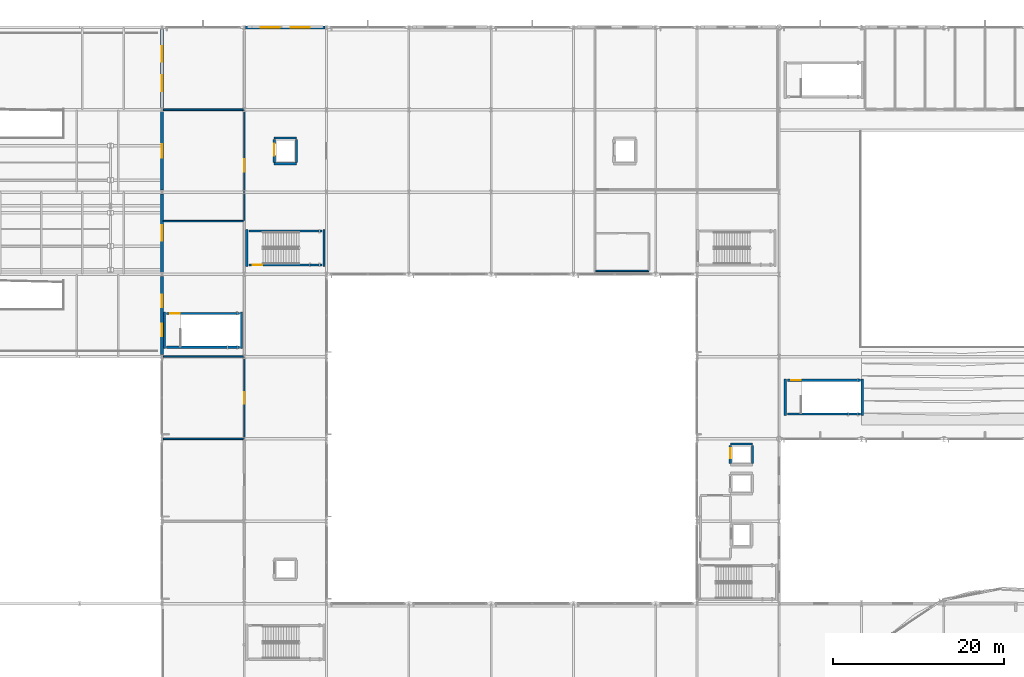
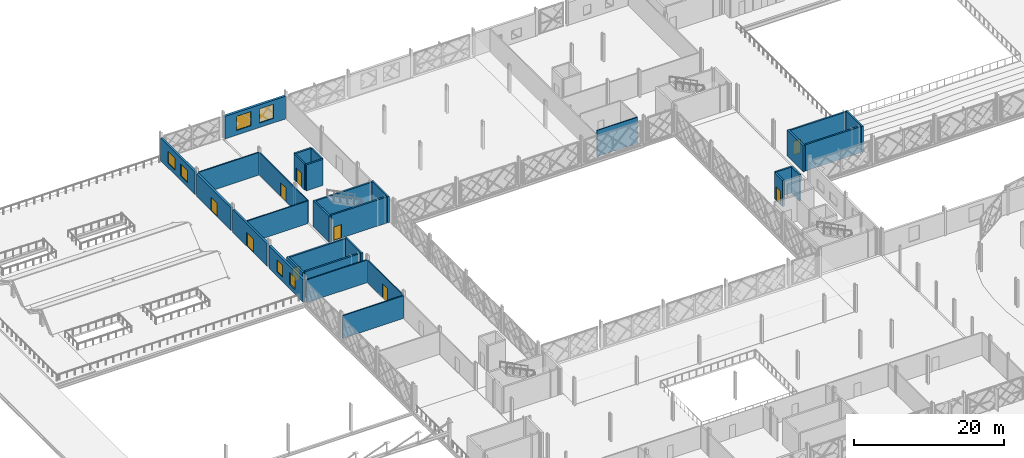
# One storey, part 68 of 101: 31 walls, 9 doors, 6 windows, 15 openings.
"""IFC4 building model written with IfcOpenShell, lengths in metres."""

from ifc_helpers import new_model, si_unit, direction, frame, frame_2d, origin, place, context, subcontext, project, spatial, rectangle, extrude, material, layer, layer_set, type_object, element, fill, save


model = new_model("IFC4")

# Units and contexts
model_context = context("Model", 3, precision=1e-05, world=origin(), true_north=direction((0.0, 1.0)))
body_context = subcontext(model_context, "Body", "Model", "MODEL_VIEW")
ifc_project = project(units=[si_unit("LENGTHUNIT", "METRE"), si_unit("AREAUNIT", "SQUARE_METRE"), si_unit("VOLUMEUNIT", "CUBIC_METRE"), si_unit("PLANEANGLEUNIT", "RADIAN"), si_unit("MASSUNIT", "GRAM", prefix="KILO")], contexts=[model_context])

# Site, building, storey
site_placement = place(None, origin())
site = spatial("IfcSite", under=ifc_project, at=site_placement, CompositionType="ELEMENT")
building_placement = place(site_placement, origin())
building = spatial("IfcBuilding", under=site, at=building_placement, Name="Zevrakil Square Congress Hotel", CompositionType="ELEMENT")
storey_placement = place(building_placement, frame((0.0, 0.0, 5.39990234375)))
storey = spatial("IfcBuildingStorey", under=building, at=storey_placement, Name="L02", CompositionType="ELEMENT", Elevation=5.39990234375)

# Wall, opening, door
ifc_material_1 = material(Name="Gypsum Acoustic Stud Partition")
ifc_layer_1 = layer(ifc_material_1, 0.159912109375)
ifc_layer_set_1 = layer_set([ifc_layer_1], Name="Gypsum Acoustic Stud Partition")
wall_type_1 = type_object("IfcWallType", Name="WAL-CORR-160", PredefinedType="PARTITIONING", material=ifc_layer_set_1)
wall_1_placement = place(storey_placement, frame((55.199951171875, 64.89990234375, 0.0), z_axis=(0.0, 0.0, 1.0), x_axis=(0.0, 1.0, 0.0)))
wall_1 = element("IfcWall", 1, at=wall_1_placement, inside=storey, type_object=wall_type_1, Name="L02 interior partition PW-L02-0184", PredefinedType="PARTITIONING", context=body_context, shape_type="SweptSolid", body=[
    extrude(rectangle(XDim=9.400146484375, YDim=0.159912109375, at=frame_2d((4.7001953125, 0.0))), origin(), (0.0, 0.0, 1.0), 3.68505859375),
])
opening_1_placement = place(wall_1_placement, frame((4.02490234375, 0.0, 0.0)))
opening_1 = element("IfcOpeningElement", 2, at=opening_1_placement, cuts=wall_1, Name="Opening ID-19", PredefinedType="OPENING", context=body_context, shape_type="SweptSolid", body=[
    extrude(rectangle(XDim=1.35009765625, YDim=2.239990234375, at=frame_2d((0.675048828125, 1.1201171875))), frame((0.0, 0.08984375, 0.0), z_axis=(0.0, -1.0, 0.0), x_axis=(1.0, 0.0, 0.0)), (0.0, 0.0, 1.0), 0.179931640625),
])
ifc_material_2 = material(Name="Service Double Fire Door")
door_type_1 = type_object("IfcDoorType", Name="DOR-INT-V09", OperationType="NOTDEFINED", PredefinedType="DOOR", material=ifc_material_2)
door_1_placement = place(opening_1_placement, origin())
door_1 = element("IfcDoor", 3, at=door_1_placement, inside=storey, type_object=door_type_1, Name="L02 interior door 77", OperationType="SINGLE_SWING_LEFT", OverallHeight=2.239990234375, OverallWidth=1.35009765625, PredefinedType="DOOR", context=body_context, shape_type="SweptSolid", body=[
    extrude(rectangle(XDim=1.35009765625, YDim=2.239990234375, at=frame_2d((0.675048828125, 1.1201171875))), frame((0.0, 0.02490234375, 0.0), z_axis=(0.0, -1.0, 0.0), x_axis=(1.0, 0.0, 0.0)), (0.0, 0.0, 1.0), 0.050048828125),
])
fill(opening_1, door_1)

wall_2_placement = place(storey_placement, frame((55.199951171875, 90.300048828125, 0.0), z_axis=(0.0, 0.0, 1.0), x_axis=(0.0, 1.0, 0.0)))
wall_2 = element("IfcWall", 4, at=wall_2_placement, inside=storey, type_object=wall_type_1, Name="L02 interior partition PW-L02-0186", PredefinedType="PARTITIONING", context=body_context, shape_type="SweptSolid", body=[
    extrude(rectangle(XDim=12.800048828125, YDim=0.159912109375, at=frame_2d((6.39990234375, 0.0))), origin(), (0.0, 0.0, 1.0), 3.68505859375),
])
opening_2_placement = place(wall_2_placement, frame((5.675048828125, 0.0, 0.0)))
opening_2 = element("IfcOpeningElement", 5, at=opening_2_placement, cuts=wall_2, Name="Opening ID-20", PredefinedType="OPENING", context=body_context, shape_type="SweptSolid", body=[
    extrude(rectangle(XDim=1.449951171875, YDim=2.239990234375, at=frame_2d((0.72509765625, 1.1201171875))), frame((0.0, 0.08984375, 0.0), z_axis=(0.0, -1.0, 0.0), x_axis=(1.0, 0.0, 0.0)), (0.0, 0.0, 1.0), 0.179931640625),
])
ifc_material_3 = material(Name="Meeting Double Fire Door")
door_type_2 = type_object("IfcDoorType", Name="DOR-INT-V10", OperationType="NOTDEFINED", PredefinedType="DOOR", material=ifc_material_3)
door_2_placement = place(opening_2_placement, origin())
door_2 = element("IfcDoor", 6, at=door_2_placement, inside=storey, type_object=door_type_2, Name="L02 interior door 78", OperationType="SINGLE_SWING_RIGHT", OverallHeight=2.239990234375, OverallWidth=1.449951171875, PredefinedType="DOOR", context=body_context, shape_type="SweptSolid", body=[
    extrude(rectangle(XDim=1.449951171875, YDim=2.239990234375, at=frame_2d((0.72509765625, 1.1201171875))), frame((0.0, 0.02490234375, 0.0), z_axis=(0.0, -1.0, 0.0), x_axis=(1.0, 0.0, 0.0)), (0.0, 0.0, 1.0), 0.050048828125),
])
fill(opening_2, door_2)

# Wall
wall_3_placement = place(storey_placement, frame((96.199951171875, 84.39990234375, 0.0), z_axis=(0.0, 0.0, 1.0), x_axis=(1.0, 0.0, 0.0)))
element("IfcWall", 7, at=wall_3_placement, inside=storey, type_object=wall_type_1, Name="L02 interior partition PW-L02-0210", PredefinedType="PARTITIONING", context=body_context, shape_type="SweptSolid", body=[
    extrude(rectangle(XDim=6.199951171875, YDim=0.159912109375, at=frame_2d((3.10009765625, 0.0))), origin(), (0.0, 0.0, 1.0), 4.239990234375),
])

# Wall, openings, windows
ifc_material_4 = material(Name="Precast concrete C40/50", Category="concrete")
ifc_layer_2 = layer(ifc_material_4, 0.320068359375)
ifc_layer_set_2 = layer_set([ifc_layer_2], Name="Precast concrete C40/50")
wall_type_2 = type_object("IfcWallType", Name="WAL-EXT-GRC-320", PredefinedType="SOLIDWALL", material=ifc_layer_set_2)
wall_4_placement = place(storey_placement, frame((45.60009765625, 74.62890625, 0.0), z_axis=(0.0, 0.0, 1.0), x_axis=(0.0, 1.0, 0.0)))
wall_4 = element("IfcWall", 8, at=wall_4_placement, inside=storey, type_object=wall_type_2, Name="L02 exterior GRC wall EW-L02-0036", PredefinedType="SOLIDWALL", context=body_context, shape_type="SweptSolid", body=[
    extrude(rectangle(XDim=9.14208984375, YDim=0.320068359375, at=frame_2d((4.571044921875, 0.0))), origin(), (0.0, 0.0, 1.0), 3.675048828125),
])
opening_3_placement = place(wall_4_placement, frame((2.135498046875, 0.0, 0.75)))
opening_3 = element("IfcOpeningElement", 9, at=opening_3_placement, cuts=wall_4, Name="Opening WN-26", PredefinedType="OPENING", context=body_context, shape_type="SweptSolid", body=[
    extrude(rectangle(XDim=1.449951171875, YDim=1.949951171875, at=frame_2d((0.72509765625, 0.97509765625))), frame((0.0, 0.169921875, 0.0), z_axis=(0.0, -1.0, 0.0), x_axis=(1.0, 0.0, 0.0)), (0.0, 0.0, 1.0), 0.340087890625),
])
opening_4_placement = place(wall_4_placement, frame((5.556396484375, 0.0, 0.75)))
opening_4 = element("IfcOpeningElement", 10, at=opening_4_placement, cuts=wall_4, Name="Opening WN-26", PredefinedType="OPENING", context=body_context, shape_type="SweptSolid", body=[
    extrude(rectangle(XDim=1.449951171875, YDim=1.949951171875, at=frame_2d((0.72509765625, 0.97509765625))), frame((0.0, 0.169921875, 0.0), z_axis=(0.0, -1.0, 0.0), x_axis=(1.0, 0.0, 0.0)), (0.0, 0.0, 1.0), 0.340087890625),
])
ifc_material_5 = material(Name="Low-E Solar Control Double Glazing", Category="glass")
window_type_1 = type_object("IfcWindowType", Name="WIN-EXT-26", PartitioningType="SINGLE_PANEL", PredefinedType="WINDOW", material=ifc_material_5)
window_1_placement = place(opening_3_placement, origin())
window_1 = element("IfcWindow", 11, at=window_1_placement, inside=storey, type_object=window_type_1, Name="L02 low-E solar window 26", OverallHeight=1.949951171875, OverallWidth=1.449951171875, PartitioningType="SINGLE_PANEL", PredefinedType="WINDOW", context=body_context, shape_type="SweptSolid", body=[
    extrude(rectangle(XDim=1.449951171875, YDim=1.949951171875, at=frame_2d((0.72509765625, 0.97509765625))), frame((0.0, 0.030029296875, 0.0), z_axis=(0.0, -1.0, 0.0), x_axis=(1.0, 0.0, 0.0)), (0.0, 0.0, 1.0), 0.06005859375),
])
fill(opening_3, window_1)
window_2_placement = place(opening_4_placement, origin())
window_2 = element("IfcWindow", 12, at=window_2_placement, inside=storey, type_object=window_type_1, Name="L02 low-E solar window 27", OverallHeight=1.949951171875, OverallWidth=1.449951171875, PartitioningType="SINGLE_PANEL", PredefinedType="WINDOW", context=body_context, shape_type="SweptSolid", body=[
    extrude(rectangle(XDim=1.449951171875, YDim=1.949951171875, at=frame_2d((0.72509765625, 0.97509765625))), frame((0.0, 0.030029296875, 0.0), z_axis=(0.0, -1.0, 0.0), x_axis=(1.0, 0.0, 0.0)), (0.0, 0.0, 1.0), 0.06005859375),
])
fill(opening_4, window_2)

# Wall, opening, door
wall_5_placement = place(storey_placement, frame((45.60009765625, 84.22900390625, 0.0), z_axis=(0.0, 0.0, 1.0), x_axis=(0.0, 1.0, 0.0)))
wall_5 = element("IfcWall", 13, at=wall_5_placement, inside=storey, type_object=wall_type_2, Name="L02 exterior GRC wall EW-L02-0037", PredefinedType="SOLIDWALL", context=body_context, shape_type="SweptSolid", body=[
    extrude(rectangle(XDim=9.14208984375, YDim=0.320068359375, at=frame_2d((4.571044921875, 0.0))), origin(), (0.0, 0.0, 1.0), 3.675048828125),
])
opening_5_placement = place(wall_5_placement, frame((3.6708984375, 0.0, 0.0)))
opening_5 = element("IfcOpeningElement", 14, at=opening_5_placement, cuts=wall_5, Name="Opening TD-01", PredefinedType="OPENING", context=body_context, shape_type="SweptSolid", body=[
    extrude(rectangle(XDim=1.800048828125, YDim=2.199951171875, at=frame_2d((0.89990234375, 1.10009765625))), frame((0.0, 0.169921875, 0.0), z_axis=(0.0, -1.0, 0.0), x_axis=(1.0, 0.0, 0.0)), (0.0, 0.0, 1.0), 0.340087890625),
])
ifc_material_6 = material(Name="Aluminium Thermal-Break Glazed Door", Category="aluminium")
door_type_3 = type_object("IfcDoorType", Name="DOR-TERR-180", OperationType="NOTDEFINED", PredefinedType="DOOR", material=ifc_material_6)
door_3_placement = place(opening_5_placement, origin())
door_3 = element("IfcDoor", 15, at=door_3_placement, inside=storey, type_object=door_type_3, Name="L02 walkable roof garden terrace door", OperationType="DOUBLE_DOOR_SINGLE_SWING", OverallHeight=2.199951171875, OverallWidth=1.800048828125, PredefinedType="DOOR", context=body_context, shape_type="SweptSolid", body=[
    extrude(rectangle(XDim=1.800048828125, YDim=2.199951171875, at=frame_2d((0.89990234375, 1.10009765625))), frame((0.0, 0.02490234375, 0.0), z_axis=(0.0, -1.0, 0.0), x_axis=(1.0, 0.0, 0.0)), (0.0, 0.0, 1.0), 0.050048828125),
])
fill(opening_5, door_3)

wall_6_placement = place(storey_placement, frame((45.60009765625, 93.8291015625, 0.0), z_axis=(0.0, 0.0, 1.0), x_axis=(0.0, 1.0, 0.0)))
wall_6 = element("IfcWall", 16, at=wall_6_placement, inside=storey, type_object=wall_type_2, Name="L02 exterior GRC wall EW-L02-0038", PredefinedType="SOLIDWALL", context=body_context, shape_type="SweptSolid", body=[
    extrude(rectangle(XDim=9.141845703125, YDim=0.320068359375, at=frame_2d((4.57080078125, 0.0))), origin(), (0.0, 0.0, 1.0), 3.675048828125),
])
opening_6_placement = place(wall_6_placement, frame((3.77099609375, 0.0, 0.0)))
opening_6 = element("IfcOpeningElement", 17, at=opening_6_placement, cuts=wall_6, Name="Opening TD-02", PredefinedType="OPENING", context=body_context, shape_type="SweptSolid", body=[
    extrude(rectangle(XDim=1.60009765625, YDim=2.199951171875, at=frame_2d((0.800048828125, 1.10009765625))), frame((0.0, 0.169921875, 0.0), z_axis=(0.0, -1.0, 0.0), x_axis=(1.0, 0.0, 0.0)), (0.0, 0.0, 1.0), 0.340087890625),
])
ifc_material_7 = material(Name="Aluminium Thermal-Break Glazed Door", Category="aluminium")
door_type_4 = type_object("IfcDoorType", Name="DOR-TERR-160", OperationType="NOTDEFINED", PredefinedType="DOOR", material=ifc_material_7)
door_4_placement = place(opening_6_placement, origin())
door_4 = element("IfcDoor", 18, at=door_4_placement, inside=storey, type_object=door_type_4, Name="L02 walkable roof garden terrace door", OperationType="DOUBLE_DOOR_SINGLE_SWING", OverallHeight=2.199951171875, OverallWidth=1.60009765625, PredefinedType="DOOR", context=body_context, shape_type="SweptSolid", body=[
    extrude(rectangle(XDim=1.60009765625, YDim=2.199951171875, at=frame_2d((0.800048828125, 1.10009765625))), frame((0.0, 0.02490234375, 0.0), z_axis=(0.0, -1.0, 0.0), x_axis=(1.0, 0.0, 0.0)), (0.0, 0.0, 1.0), 0.050048828125),
])
fill(opening_6, door_4)

# Wall, openings, windows
wall_7_placement = place(storey_placement, frame((45.60009765625, 103.428955078125, 0.0), z_axis=(0.0, 0.0, 1.0), x_axis=(0.0, 1.0, 0.0)))
wall_7 = element("IfcWall", 19, at=wall_7_placement, inside=storey, type_object=wall_type_2, Name="L02 exterior GRC wall EW-L02-0039", PredefinedType="SOLIDWALL", context=body_context, shape_type="SweptSolid", body=[
    extrude(rectangle(XDim=9.14208984375, YDim=0.320068359375, at=frame_2d((4.571044921875, 0.0))), origin(), (0.0, 0.0, 1.0), 3.675048828125),
])
opening_7_placement = place(wall_7_placement, frame((1.935546875, 0.0, 0.75)))
opening_7 = element("IfcOpeningElement", 20, at=opening_7_placement, cuts=wall_7, Name="Opening WN-28", PredefinedType="OPENING", context=body_context, shape_type="SweptSolid", body=[
    extrude(rectangle(XDim=1.85009765625, YDim=1.949951171875, at=frame_2d((0.925048828125, 0.97509765625))), frame((0.0, 0.169921875, 0.0), z_axis=(0.0, -1.0, 0.0), x_axis=(1.0, 0.0, 0.0)), (0.0, 0.0, 1.0), 0.340087890625),
])
opening_8_placement = place(wall_7_placement, frame((5.3564453125, 0.0, 0.75)))
opening_8 = element("IfcOpeningElement", 21, at=opening_8_placement, cuts=wall_7, Name="Opening WN-28", PredefinedType="OPENING", context=body_context, shape_type="SweptSolid", body=[
    extrude(rectangle(XDim=1.85009765625, YDim=1.949951171875, at=frame_2d((0.925048828125, 0.97509765625))), frame((0.0, 0.169921875, 0.0), z_axis=(0.0, -1.0, 0.0), x_axis=(1.0, 0.0, 0.0)), (0.0, 0.0, 1.0), 0.340087890625),
])
ifc_material_8 = material(Name="Low-E Solar Control Double Glazing", Category="glass")
window_type_2 = type_object("IfcWindowType", Name="WIN-EXT-28", PartitioningType="SINGLE_PANEL", PredefinedType="WINDOW", material=ifc_material_8)
window_3_placement = place(opening_7_placement, origin())
window_3 = element("IfcWindow", 22, at=window_3_placement, inside=storey, type_object=window_type_2, Name="L02 low-E solar window 28", OverallHeight=1.949951171875, OverallWidth=1.85009765625, PartitioningType="SINGLE_PANEL", PredefinedType="WINDOW", context=body_context, shape_type="SweptSolid", body=[
    extrude(rectangle(XDim=1.85009765625, YDim=1.949951171875, at=frame_2d((0.925048828125, 0.97509765625))), frame((0.0, 0.030029296875, 0.0), z_axis=(0.0, -1.0, 0.0), x_axis=(1.0, 0.0, 0.0)), (0.0, 0.0, 1.0), 0.06005859375),
])
fill(opening_7, window_3)
window_4_placement = place(opening_8_placement, origin())
window_4 = element("IfcWindow", 23, at=window_4_placement, inside=storey, type_object=window_type_2, Name="L02 low-E solar window 29", OverallHeight=1.949951171875, OverallWidth=1.85009765625, PartitioningType="SINGLE_PANEL", PredefinedType="WINDOW", context=body_context, shape_type="SweptSolid", body=[
    extrude(rectangle(XDim=1.85009765625, YDim=1.949951171875, at=frame_2d((0.925048828125, 0.97509765625))), frame((0.0, 0.030029296875, 0.0), z_axis=(0.0, -1.0, 0.0), x_axis=(1.0, 0.0, 0.0)), (0.0, 0.0, 1.0), 0.06005859375),
])
fill(opening_8, window_4)

ifc_material_9 = material(Name="Precast concrete C40/50", Category="concrete")
ifc_layer_3 = layer(ifc_material_9, 0.360107421875)
ifc_layer_set_3 = layer_set([ifc_layer_3], Name="Precast concrete C40/50")
wall_type_3 = type_object("IfcWallType", Name="WAL-EXT-GRC-360", PredefinedType="SOLIDWALL", material=ifc_layer_set_3)
wall_8_placement = place(storey_placement, frame((55.35400390625, 112.800048828125, 0.0), z_axis=(0.0, 0.0, 1.0), x_axis=(1.0, 0.0, 0.0)))
wall_8 = element("IfcWall", 24, at=wall_8_placement, inside=storey, type_object=wall_type_3, Name="L02 exterior GRC wall EW-L02-0048", PredefinedType="SOLIDWALL", context=body_context, shape_type="SweptSolid", body=[
    extrude(rectangle(XDim=9.2919921875, YDim=0.360107421875, at=frame_2d((4.64599609375, 0.0))), origin(), (0.0, 0.0, 1.0), 3.68505859375),
])
opening_9_placement = place(wall_8_placement, frame((1.798095703125, 0.0, 0.75)))
opening_9 = element("IfcOpeningElement", 25, at=opening_9_placement, cuts=wall_8, Name="Opening WN-39", PredefinedType="OPENING", context=body_context, shape_type="SweptSolid", body=[
    extrude(rectangle(XDim=2.199951171875, YDim=2.300048828125, at=frame_2d((1.10009765625, 1.14990234375))), frame((0.0, 0.18994140625, 0.0), z_axis=(0.0, -1.0, 0.0), x_axis=(1.0, 0.0, 0.0)), (0.0, 0.0, 1.0), 0.380126953125),
])
opening_10_placement = place(wall_8_placement, frame((5.2939453125, 0.0, 0.75)))
opening_10 = element("IfcOpeningElement", 26, at=opening_10_placement, cuts=wall_8, Name="Opening WN-39", PredefinedType="OPENING", context=body_context, shape_type="SweptSolid", body=[
    extrude(rectangle(XDim=2.199951171875, YDim=2.300048828125, at=frame_2d((1.10009765625, 1.14990234375))), frame((0.0, 0.18994140625, 0.0), z_axis=(0.0, -1.0, 0.0), x_axis=(1.0, 0.0, 0.0)), (0.0, 0.0, 1.0), 0.380126953125),
])
ifc_material_10 = material(Name="Low-E Solar Control Double Glazing", Category="glass")
window_type_3 = type_object("IfcWindowType", Name="WIN-EXT-39", PartitioningType="SINGLE_PANEL", PredefinedType="WINDOW", material=ifc_material_10)
window_5_placement = place(opening_9_placement, origin())
window_5 = element("IfcWindow", 27, at=window_5_placement, inside=storey, type_object=window_type_3, Name="L02 low-E solar window 39", OverallHeight=2.300048828125, OverallWidth=2.199951171875, PartitioningType="SINGLE_PANEL", PredefinedType="WINDOW", context=body_context, shape_type="SweptSolid", body=[
    extrude(rectangle(XDim=2.199951171875, YDim=2.300048828125, at=frame_2d((1.10009765625, 1.14990234375))), frame((0.0, 0.030029296875, 0.0), z_axis=(0.0, -1.0, 0.0), x_axis=(1.0, 0.0, 0.0)), (0.0, 0.0, 1.0), 0.06005859375),
])
fill(opening_9, window_5)
window_6_placement = place(opening_10_placement, origin())
window_6 = element("IfcWindow", 28, at=window_6_placement, inside=storey, type_object=window_type_3, Name="L02 low-E solar window 40", OverallHeight=2.300048828125, OverallWidth=2.199951171875, PartitioningType="SINGLE_PANEL", PredefinedType="WINDOW", context=body_context, shape_type="SweptSolid", body=[
    extrude(rectangle(XDim=2.199951171875, YDim=2.300048828125, at=frame_2d((1.10009765625, 1.14990234375))), frame((0.0, 0.030029296875, 0.0), z_axis=(0.0, -1.0, 0.0), x_axis=(1.0, 0.0, 0.0)), (0.0, 0.0, 1.0), 0.06005859375),
])
fill(opening_10, window_6)

# Walls
ifc_material_11 = material(Name="Gypsum Twin-Stud Party Partition")
ifc_layer_4 = layer(ifc_material_11, 0.179931640625)
ifc_layer_set_4 = layer_set([ifc_layer_4], Name="Gypsum Twin-Stud Party Partition")
wall_type_4 = type_object("IfcWallType", Name="WAL-PARTY-180", PredefinedType="PARTITIONING", material=ifc_layer_set_4)
for number, where, z_axis, x_axis, name in (
    (29, (45.780029296875, 64.800048828125, 0.0), (0.0, 0.0, 1.0), (1.0, 0.0, 0.0), "L02 interior partition PW-L02-0183"),
    (30, (45.780029296875, 74.39990234375, 0.0), (0.0, 0.0, 1.0), (1.0, 0.0, 0.0), "L02 interior partition PW-L02-0185"),
):
    element("IfcWall", number, at=place(storey_placement, frame(where, z_axis=z_axis, x_axis=x_axis)), inside=storey, type_object=wall_type_4, Name=name, PredefinedType="PARTITIONING", context=body_context, shape_type="SweptSolid", body=[
        extrude(rectangle(XDim=9.330078125, YDim=0.179931640625, at=frame_2d((4.6650390625, 0.0))), origin(), (0.0, 0.0, 1.0), 3.68505859375),
    ])
wall_9_placement = place(storey_placement, frame((45.780029296875, 90.199951171875, 0.0), z_axis=(0.0, 0.0, 1.0), x_axis=(1.0, 0.0, 0.0)))
element("IfcWall", 31, at=wall_9_placement, inside=storey, type_object=wall_type_4, Name="L02 interior partition PW-L02-0187", PredefinedType="PARTITIONING", context=body_context, shape_type="SweptSolid", body=[
    extrude(rectangle(XDim=9.330078125, YDim=0.179931640625, at=frame_2d((4.6650390625, 0.0))), origin(), (0.0, 0.0, 1.0), 3.675048828125),
])
wall_10_placement = place(storey_placement, frame((45.780029296875, 103.199951171875, 0.0), z_axis=(0.0, 0.0, 1.0), x_axis=(1.0, 0.0, 0.0)))
element("IfcWall", 32, at=wall_10_placement, inside=storey, type_object=wall_type_4, Name="L02 interior partition PW-L02-0188", PredefinedType="PARTITIONING", context=body_context, shape_type="SweptSolid", body=[
    extrude(rectangle(XDim=9.330078125, YDim=0.179931640625, at=frame_2d((4.6650390625, 0.0))), origin(), (0.0, 0.0, 1.0), 3.68505859375),
])
ifc_material_12 = material(Name="Concrete C40/50", Category="concrete")
ifc_layer_5 = layer(ifc_material_12, 0.260009765625)
ifc_layer_set_5 = layer_set([ifc_layer_5], Name="Concrete C40/50")
wall_type_5 = type_object("IfcWallType", Name="WAL-SHAFT-260", PredefinedType="SHEAR", material=ifc_layer_set_5)
for number, where, z_axis, x_axis, name in (
    (33, (55.5048828125, 84.93994140625, 0.0), (0.0, 0.0, 1.0), (0.0, 1.0, 0.0), "L02 ST05 stair shaft W wall"),
    (34, (64.4951171875, 84.93994140625, 0.0), (0.0, 0.0, 1.0), (0.0, 1.0, 0.0), "L02 ST05 stair shaft E wall"),
):
    element("IfcWall", number, at=place(storey_placement, frame(where, z_axis=z_axis, x_axis=x_axis)), inside=storey, type_object=wall_type_5, Name=name, PredefinedType="SHEAR", context=body_context, shape_type="SweptSolid", body=[
        extrude(rectangle(XDim=4.27001953125, YDim=0.260009765625, at=frame_2d((2.135009765625, 0.0))), origin(), (0.0, 0.0, 1.0), 4.239990234375),
    ])

# Wall, opening, door
wall_11_placement = place(storey_placement, frame((55.739990234375, 85.10498046875, 0.0), z_axis=(0.0, 0.0, 1.0), x_axis=(1.0, 0.0, 0.0)))
wall_11 = element("IfcWall", 35, at=wall_11_placement, inside=storey, type_object=wall_type_5, Name="L02 ST05 stair shaft S wall", PredefinedType="SHEAR", context=body_context, shape_type="SweptSolid", body=[
    extrude(rectangle(XDim=8.52001953125, YDim=0.260009765625, at=frame_2d((4.260009765625, 0.0))), origin(), (0.0, 0.0, 1.0), 4.239990234375),
])
opening_11_placement = place(wall_11_placement, frame((0.449951171875, 0.0, 0.0)))
opening_11 = element("IfcOpeningElement", 36, at=opening_11_placement, cuts=wall_11, Name="Opening SD-ST05", PredefinedType="OPENING", context=body_context, shape_type="SweptSolid", body=[
    extrude(rectangle(XDim=1.10009765625, YDim=2.199951171875, at=frame_2d((0.550048828125, 1.10009765625))), frame((0.0, 0.14013671875, 0.0), z_axis=(0.0, -1.0, 0.0), x_axis=(1.0, 0.0, 0.0)), (0.0, 0.0, 1.0), 0.280029296875),
])
ifc_material_13 = material(Name="Steel S355 Fire-Rated Door", Category="steel")
door_type_5 = type_object("IfcDoorType", Name="DOR-STAIR-FD90-110", OperationType="NOTDEFINED", PredefinedType="DOOR", material=ifc_material_13)
door_5_placement = place(opening_11_placement, origin())
door_5 = element("IfcDoor", 37, at=door_5_placement, inside=storey, type_object=door_type_5, Name="L02 ST05 protected stair fire door", OperationType="SINGLE_SWING_LEFT", OverallHeight=2.199951171875, OverallWidth=1.10009765625, PredefinedType="DOOR", context=body_context, shape_type="SweptSolid", body=[
    extrude(rectangle(XDim=1.10009765625, YDim=2.199951171875, at=frame_2d((0.550048828125, 1.10009765625))), frame((0.0, 0.02490234375, 0.0), z_axis=(0.0, -1.0, 0.0), x_axis=(1.0, 0.0, 0.0)), (0.0, 0.0, 1.0), 0.050048828125),
])
fill(opening_11, door_5)

# Walls
wall_12_placement = place(storey_placement, frame((55.739990234375, 89.044921875, 0.0), z_axis=(0.0, 0.0, 1.0), x_axis=(1.0, 0.0, 0.0)))
element("IfcWall", 38, at=wall_12_placement, inside=storey, type_object=wall_type_5, Name="L02 ST05 stair shaft N wall", PredefinedType="SHEAR", context=body_context, shape_type="SweptSolid", body=[
    extrude(rectangle(XDim=8.52001953125, YDim=0.260009765625, at=frame_2d((4.260009765625, 0.0))), origin(), (0.0, 0.0, 1.0), 4.239990234375),
])
for number, where, z_axis, x_axis, name in (
    (39, (118.304931640625, 67.5400390625, 0.0), (0.0, 0.0, 1.0), (0.0, 1.0, 0.0), "L02 ST08 stair shaft W wall"),
    (40, (127.294921875, 67.5400390625, 0.0), (0.0, 0.0, 1.0), (0.0, 1.0, 0.0), "L02 ST08 stair shaft E wall"),
):
    element("IfcWall", number, at=place(storey_placement, frame(where, z_axis=z_axis, x_axis=x_axis)), inside=storey, type_object=wall_type_5, Name=name, PredefinedType="SHEAR", context=body_context, shape_type="SweptSolid", body=[
        extrude(rectangle(XDim=4.27001953125, YDim=0.260009765625, at=frame_2d((2.135009765625, 0.0))), origin(), (0.0, 0.0, 1.0), 4.239990234375),
    ])
wall_13_placement = place(storey_placement, frame((118.5400390625, 67.705078125, 0.0), z_axis=(0.0, 0.0, 1.0), x_axis=(1.0, 0.0, 0.0)))
element("IfcWall", 41, at=wall_13_placement, inside=storey, type_object=wall_type_5, Name="L02 ST08 stair shaft S wall", PredefinedType="SHEAR", context=body_context, shape_type="SweptSolid", body=[
    extrude(rectangle(XDim=8.52001953125, YDim=0.260009765625, at=frame_2d((4.260009765625, 0.0))), origin(), (0.0, 0.0, 1.0), 4.239990234375),
])

# Wall, opening, door
wall_14_placement = place(storey_placement, frame((118.5400390625, 71.64501953125, 0.0), z_axis=(0.0, 0.0, 1.0), x_axis=(1.0, 0.0, 0.0)))
wall_14 = element("IfcWall", 42, at=wall_14_placement, inside=storey, type_object=wall_type_5, Name="L02 ST08 stair shaft N wall", PredefinedType="SHEAR", context=body_context, shape_type="SweptSolid", body=[
    extrude(rectangle(XDim=8.52001953125, YDim=0.260009765625, at=frame_2d((4.260009765625, 0.0))), origin(), (0.0, 0.0, 1.0), 4.239990234375),
])
opening_12_placement = place(wall_14_placement, frame((0.449951171875, 0.0, 0.0)))
opening_12 = element("IfcOpeningElement", 43, at=opening_12_placement, cuts=wall_14, Name="Opening SD-ST08", PredefinedType="OPENING", context=body_context, shape_type="SweptSolid", body=[
    extrude(rectangle(XDim=1.10009765625, YDim=2.199951171875, at=frame_2d((0.550048828125, 1.10009765625))), frame((0.0, 0.14013671875, 0.0), z_axis=(0.0, -1.0, 0.0), x_axis=(1.0, 0.0, 0.0)), (0.0, 0.0, 1.0), 0.280029296875),
])
door_6_placement = place(opening_12_placement, origin())
door_6 = element("IfcDoor", 44, at=door_6_placement, inside=storey, type_object=door_type_5, Name="L02 ST08 protected stair fire door", OperationType="SINGLE_SWING_LEFT", OverallHeight=2.199951171875, OverallWidth=1.10009765625, PredefinedType="DOOR", context=body_context, shape_type="SweptSolid", body=[
    extrude(rectangle(XDim=1.10009765625, YDim=2.199951171875, at=frame_2d((0.550048828125, 1.10009765625))), frame((0.0, 0.02490234375, 0.0), z_axis=(0.0, -1.0, 0.0), x_axis=(1.0, 0.0, 0.0)), (0.0, 0.0, 1.0), 0.050048828125),
])
fill(opening_12, door_6)

# Walls
for number, where, z_axis, x_axis, name in (
    (45, (45.905029296875, 75.340087890625, 0.0), (0.0, 0.0, 1.0), (0.0, 1.0, 0.0), "L02 ST14 stair shaft W wall"),
    (46, (54.89501953125, 75.340087890625, 0.0), (0.0, 0.0, 1.0), (0.0, 1.0, 0.0), "L02 ST14 stair shaft E wall"),
):
    element("IfcWall", number, at=place(storey_placement, frame(where, z_axis=z_axis, x_axis=x_axis)), inside=storey, type_object=wall_type_5, Name=name, PredefinedType="SHEAR", context=body_context, shape_type="SweptSolid", body=[
        extrude(rectangle(XDim=4.27001953125, YDim=0.260009765625, at=frame_2d((2.135009765625, 0.0))), origin(), (0.0, 0.0, 1.0), 4.239990234375),
    ])
wall_15_placement = place(storey_placement, frame((46.139892578125, 75.5048828125, 0.0), z_axis=(0.0, 0.0, 1.0), x_axis=(1.0, 0.0, 0.0)))
element("IfcWall", 47, at=wall_15_placement, inside=storey, type_object=wall_type_5, Name="L02 ST14 stair shaft S wall", PredefinedType="SHEAR", context=body_context, shape_type="SweptSolid", body=[
    extrude(rectangle(XDim=8.52001953125, YDim=0.260009765625, at=frame_2d((4.260009765625, 0.0))), origin(), (0.0, 0.0, 1.0), 4.239990234375),
])

# Wall, opening, door
wall_16_placement = place(storey_placement, frame((46.139892578125, 79.445068359375, 0.0), z_axis=(0.0, 0.0, 1.0), x_axis=(1.0, 0.0, 0.0)))
wall_16 = element("IfcWall", 48, at=wall_16_placement, inside=storey, type_object=wall_type_5, Name="L02 ST14 stair shaft N wall", PredefinedType="SHEAR", context=body_context, shape_type="SweptSolid", body=[
    extrude(rectangle(XDim=8.52001953125, YDim=0.260009765625, at=frame_2d((4.260009765625, 0.0))), origin(), (0.0, 0.0, 1.0), 4.239990234375),
])
opening_13_placement = place(wall_16_placement, frame((0.449951171875, 0.0, 0.0)))
opening_13 = element("IfcOpeningElement", 49, at=opening_13_placement, cuts=wall_16, Name="Opening SD-ST14", PredefinedType="OPENING", context=body_context, shape_type="SweptSolid", body=[
    extrude(rectangle(XDim=1.10009765625, YDim=2.199951171875, at=frame_2d((0.550048828125, 1.10009765625))), frame((0.0, 0.14013671875, 0.0), z_axis=(0.0, -1.0, 0.0), x_axis=(1.0, 0.0, 0.0)), (0.0, 0.0, 1.0), 0.280029296875),
])
door_7_placement = place(opening_13_placement, origin())
door_7 = element("IfcDoor", 50, at=door_7_placement, inside=storey, type_object=door_type_5, Name="L02 ST14 protected stair fire door", OperationType="SINGLE_SWING_RIGHT", OverallHeight=2.199951171875, OverallWidth=1.10009765625, PredefinedType="DOOR", context=body_context, shape_type="SweptSolid", body=[
    extrude(rectangle(XDim=1.10009765625, YDim=2.199951171875, at=frame_2d((0.550048828125, 1.10009765625))), frame((0.0, 0.02490234375, 0.0), z_axis=(0.0, -1.0, 0.0), x_axis=(1.0, 0.0, 0.0)), (0.0, 0.0, 1.0), 0.050048828125),
])
fill(opening_13, door_7)

# Wall
wall_17_placement = place(storey_placement, frame((111.89990234375, 64.199951171875, 0.0), z_axis=(0.0, 0.0, 1.0), x_axis=(1.0, 0.0, 0.0)))
element("IfcWall", 51, at=wall_17_placement, inside=storey, type_object=wall_type_5, Name="L02 CL2 lift shaft wall", PredefinedType="SHEAR", context=body_context, shape_type="SweptSolid", body=[
    extrude(rectangle(XDim=2.60009765625, YDim=0.260009765625, at=frame_2d((1.300048828125, 0.0))), origin(), (0.0, 0.0, 1.0), 4.239990234375),
])

# Wall, opening, door
wall_18_placement = place(storey_placement, frame((111.89990234375, 61.93994140625, 0.0), z_axis=(0.0, 0.0, 1.0), x_axis=(0.0, 1.0, 0.0)))
wall_18 = element("IfcWall", 52, at=wall_18_placement, inside=storey, type_object=wall_type_5, Name="L02 CL2 lift shaft wall", PredefinedType="SHEAR", context=body_context, shape_type="SweptSolid", body=[
    extrude(rectangle(XDim=2.1201171875, YDim=0.260009765625, at=frame_2d((1.06005859375, 0.0))), origin(), (0.0, 0.0, 1.0), 4.239990234375),
])
opening_14_placement = place(wall_18_placement, frame((0.60009765625, 0.0, 0.0)))
opening_14 = element("IfcOpeningElement", 53, at=opening_14_placement, cuts=wall_18, Name="Opening LD-CL2", PredefinedType="OPENING", context=body_context, shape_type="SweptSolid", body=[
    extrude(rectangle(XDim=1.199951171875, YDim=2.199951171875, at=frame_2d((0.60009765625, 1.10009765625))), frame((0.0, 0.14013671875, 0.0), z_axis=(0.0, -1.0, 0.0), x_axis=(1.0, 0.0, 0.0)), (0.0, 0.0, 1.0), 0.280029296875),
])
ifc_material_14 = material(Name="Stainless Steel Sliding Lift Landing Door", Category="steel")
door_type_6 = type_object("IfcDoorType", Name="DOR-LIFT-LD120", OperationType="NOTDEFINED", PredefinedType="DOOR", material=ifc_material_14)
door_8_placement = place(opening_14_placement, origin())
door_8 = element("IfcDoor", 54, at=door_8_placement, inside=storey, type_object=door_type_6, Name="L02 CL2 sliding lift landing door", OperationType="SLIDING_TO_LEFT", OverallHeight=2.199951171875, OverallWidth=1.199951171875, PredefinedType="DOOR", context=body_context, shape_type="SweptSolid", body=[
    extrude(rectangle(XDim=1.199951171875, YDim=2.199951171875, at=frame_2d((0.60009765625, 1.10009765625))), frame((0.0, 0.02490234375, 0.0), z_axis=(0.0, -1.0, 0.0), x_axis=(1.0, 0.0, 0.0)), (0.0, 0.0, 1.0), 0.050048828125),
])
fill(opening_14, door_8)

# Walls
wall_19_placement = place(storey_placement, frame((114.5, 61.93994140625, 0.0), z_axis=(0.0, 0.0, 1.0), x_axis=(0.0, 1.0, 0.0)))
element("IfcWall", 55, at=wall_19_placement, inside=storey, type_object=wall_type_5, Name="L02 CL2 lift shaft wall", PredefinedType="SHEAR", context=body_context, shape_type="SweptSolid", body=[
    extrude(rectangle(XDim=2.1201171875, YDim=0.260009765625, at=frame_2d((1.06005859375, 0.0))), origin(), (0.0, 0.0, 1.0), 4.239990234375),
])
for number, where, z_axis, x_axis, name in (
    (56, (58.699951171875, 96.89990234375, 0.0), (0.0, 0.0, 1.0), (1.0, 0.0, 0.0), "L02 SL2 lift shaft wall"),
    (57, (58.699951171875, 99.89990234375, 0.0), (0.0, 0.0, 1.0), (1.0, 0.0, 0.0), "L02 SL2 lift shaft wall"),
):
    element("IfcWall", number, at=place(storey_placement, frame(where, z_axis=z_axis, x_axis=x_axis)), inside=storey, type_object=wall_type_5, Name=name, PredefinedType="SHEAR", context=body_context, shape_type="SweptSolid", body=[
        extrude(rectangle(XDim=2.60009765625, YDim=0.260009765625, at=frame_2d((1.300048828125, 0.0))), origin(), (0.0, 0.0, 1.0), 4.239990234375),
    ])

# Wall, opening, door
wall_20_placement = place(storey_placement, frame((58.699951171875, 97.0400390625, 0.0), z_axis=(0.0, 0.0, 1.0), x_axis=(0.0, 1.0, 0.0)))
wall_20 = element("IfcWall", 58, at=wall_20_placement, inside=storey, type_object=wall_type_5, Name="L02 SL2 lift shaft wall", PredefinedType="SHEAR", context=body_context, shape_type="SweptSolid", body=[
    extrude(rectangle(XDim=2.719970703125, YDim=0.260009765625, at=frame_2d((1.35986328125, 0.0))), origin(), (0.0, 0.0, 1.0), 4.239990234375),
])
opening_15_placement = place(wall_20_placement, frame((0.800048828125, 0.0, 0.0)))
opening_15 = element("IfcOpeningElement", 59, at=opening_15_placement, cuts=wall_20, Name="Opening LD-SL2", PredefinedType="OPENING", context=body_context, shape_type="SweptSolid", body=[
    extrude(rectangle(XDim=1.39990234375, YDim=2.300048828125, at=frame_2d((0.699951171875, 1.14990234375))), frame((0.0, 0.14013671875, 0.0), z_axis=(0.0, -1.0, 0.0), x_axis=(1.0, 0.0, 0.0)), (0.0, 0.0, 1.0), 0.280029296875),
])
ifc_material_15 = material(Name="Goods Service Sliding Landing Door")
door_type_7 = type_object("IfcDoorType", Name="DOR-LIFT-LD140", OperationType="NOTDEFINED", PredefinedType="DOOR", material=ifc_material_15)
door_9_placement = place(opening_15_placement, origin())
door_9 = element("IfcDoor", 60, at=door_9_placement, inside=storey, type_object=door_type_7, Name="L02 SL2 sliding lift landing door", OperationType="SLIDING_TO_RIGHT", OverallHeight=2.300048828125, OverallWidth=1.39990234375, PredefinedType="DOOR", context=body_context, shape_type="SweptSolid", body=[
    extrude(rectangle(XDim=1.39990234375, YDim=2.300048828125, at=frame_2d((0.699951171875, 1.14990234375))), frame((0.0, 0.02490234375, 0.0), z_axis=(0.0, -1.0, 0.0), x_axis=(1.0, 0.0, 0.0)), (0.0, 0.0, 1.0), 0.050048828125),
])
fill(opening_15, door_9)

# Wall
wall_21_placement = place(storey_placement, frame((61.300048828125, 97.0400390625, 0.0), z_axis=(0.0, 0.0, 1.0), x_axis=(0.0, 1.0, 0.0)))
element("IfcWall", 61, at=wall_21_placement, inside=storey, type_object=wall_type_5, Name="L02 SL2 lift shaft wall", PredefinedType="SHEAR", context=body_context, shape_type="SweptSolid", body=[
    extrude(rectangle(XDim=2.719970703125, YDim=0.260009765625, at=frame_2d((1.35986328125, 0.0))), origin(), (0.0, 0.0, 1.0), 4.239990234375),
])

save(model, "model.ifc")
